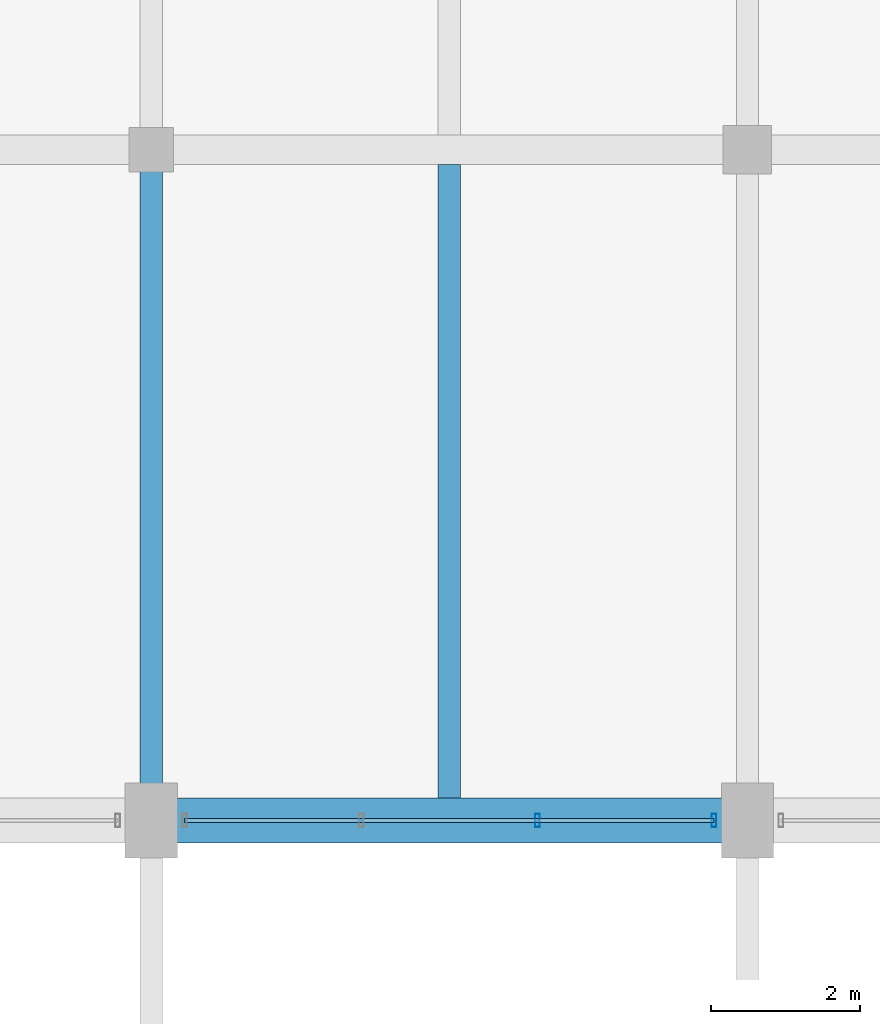
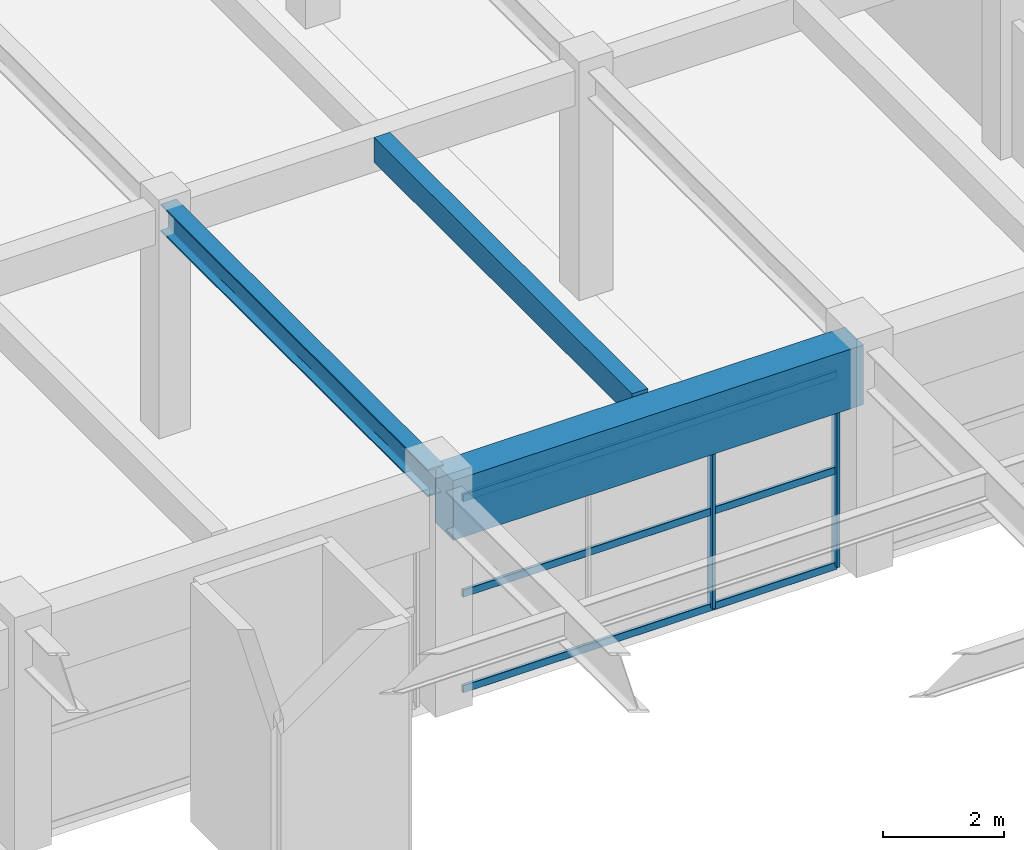
# One storey, part 58 of 144: 5 members, 3 beams, 1 element without a shape of its own.
"""IFC4 building model written with IfcOpenShell, lengths in metres."""

from ifc_helpers import new_model, si_unit, direction, frame, origin, origin_2d, place, context, subcontext, project, spatial, rectangle, hollow_rectangle, i_section, extrude, material, material_profile, profile_set, type_object, element, aggregate, save


model = new_model("IFC4")

# Units and contexts
model_context = context("Model", 3, precision=1e-05, world=origin(), true_north=direction((0.0, 1.0)))
body_context = subcontext(model_context, "Body", "Model", "MODEL_VIEW")
ifc_project = project(units=[si_unit("LENGTHUNIT", "METRE"), si_unit("AREAUNIT", "SQUARE_METRE"), si_unit("VOLUMEUNIT", "CUBIC_METRE"), si_unit("PLANEANGLEUNIT", "RADIAN"), si_unit("MASSUNIT", "GRAM", prefix="KILO")], contexts=[model_context])

# Site, building, storey
site_placement = place(None, origin())
site = spatial("IfcSite", under=ifc_project, at=site_placement, CompositionType="ELEMENT")
building_placement = place(site_placement, origin())
building = spatial("IfcBuilding", under=site, at=building_placement, Name="Varnabhumi Central Station", CompositionType="ELEMENT")
storey_placement = place(building_placement, frame((0.0, 0.0, 4.800048828125)))
storey = spatial("IfcBuildingStorey", under=building, at=storey_placement, Name="L01", CompositionType="ELEMENT", Elevation=4.800048828125)

# Beams
ifc_material_1 = material(Name="Concrete M50", Category="concrete")
ifc_material_profile_1 = material_profile(ifc_material_1, rectangle(XDim=0.60009765625, YDim=1.199951171875, at=origin_2d()), Name="Concrete M50", Category="concrete")
ifc_profile_set_1 = profile_set([ifc_material_profile_1], Name="Concrete M50")
beam_type_1 = type_object("IfcBeamType", Name="BM-RC-1200x600", PredefinedType="BEAM", material=ifc_profile_set_1)
beam_1_placement = place(storey_placement, frame((88.10009765625, 80.0, 3.8798828125), z_axis=(1.0, 0.0, 0.0), x_axis=(0.0, 1.0, 0.0)))
element("IfcBeam", 1, at=beam_1_placement, inside=storey, type_object=beam_type_1, Name="Beam L01-K:12-13", PredefinedType="BEAM", context=body_context, shape_type="SweptSolid", body=[
    extrude(rectangle(XDim=0.60009765625, YDim=1.199951171875, at=origin_2d()), origin(), (0.0, 0.0, 1.0), 7.7998046875),
])
ifc_material_2 = material(Name="Concrete M40", Category="concrete")
ifc_material_profile_2 = material_profile(ifc_material_2, rectangle(XDim=0.300048828125, YDim=0.5, at=origin_2d()), Name="Concrete M40", Category="concrete")
ifc_profile_set_2 = profile_set([ifc_material_profile_2], Name="Concrete M40")
beam_type_2 = type_object("IfcBeamType", Name="BM-RC-300x500", PredefinedType="JOIST", material=ifc_profile_set_2)
beam_2_placement = place(storey_placement, frame((92.0, 80.300048828125, 4.300048828125), z_axis=(0.0, 1.0, 0.0), x_axis=(-1.0, 0.0, 0.0)))
element("IfcBeam", 2, at=beam_2_placement, inside=storey, type_object=beam_type_2, Name="Secondary Joist L01-12/13:K-L", PredefinedType="JOIST", context=body_context, shape_type="SweptSolid", body=[
    extrude(rectangle(XDim=0.300048828125, YDim=0.5, at=origin_2d()), origin(), (0.0, 0.0, 1.0), 8.5),
])
ifc_material_3 = material(Name="Structural steel E350", Category="steel")
ifc_material_profile_3 = material_profile(ifc_material_3, i_section(OverallWidth=0.300048828125, OverallDepth=0.550048828125, WebThickness=0.014892578125, FlangeThickness=0.029052734375, FilletRadius=0.027099609375, at=origin_2d()), Name="Structural steel E350", Category="steel")
ifc_profile_set_3 = profile_set([ifc_material_profile_3], Name="Structural steel E350")
beam_type_3 = type_object("IfcBeamType", Name="BM-STL-WPB550", PredefinedType="BEAM", material=ifc_profile_set_3)
beam_3_placement = place(storey_placement, frame((88.0, 80.10009765625, 4.27490234375), z_axis=(0.0, 1.0, 0.0), x_axis=(-1.0, 0.0, 0.0)))
element("IfcBeam", 3, at=beam_3_placement, inside=storey, type_object=beam_type_3, Name="Beam L01-12:K-L", PredefinedType="BEAM", context=body_context, shape_type="SweptSolid", body=[
    extrude(i_section(OverallWidth=0.300048828125, OverallDepth=0.550048828125, WebThickness=0.014892578125, FlangeThickness=0.029052734375, FilletRadius=0.027099609375, at=origin_2d()), origin(), (0.0, 0.0, 1.0), 8.7998046875),
])

# Curtain wall, members
ifc_material_4 = material(Name="Anodised aluminium 6063-T6", Category="aluminium")
curtain_wall_type = type_object("IfcCurtainWallType", Name="CW-STREET-PORTAL", PredefinedType="NOTDEFINED", material=ifc_material_4)
curtain_wall_placement = place(storey_placement, origin())
curtain_wall = element("IfcCurtainWall", 4, at=curtain_wall_placement, inside=storey, type_object=curtain_wall_type, Name="Curtain Wall CW-NSP111", PredefinedType="NOTDEFINED")
ifc_material_profile_4 = material_profile(ifc_material_4, hollow_rectangle(XDim=0.06494140625, YDim=0.179931640625, WallThickness=0.00390625, InnerFilletRadius=0.001953125, OuterFilletRadius=0.006103515625, at=origin_2d()), Name="Anodised aluminium 6063-T6", Category="aluminium")
ifc_profile_set_4 = profile_set([ifc_material_profile_4], Name="Anodised aluminium 6063-T6")
member_type_1 = type_object("IfcMemberType", Name="CW-MUL-180", PredefinedType="MULLION", material=ifc_profile_set_4)
member_1_placement = place(storey_placement, frame((93.183349609375, 80.0, 0.0), z_axis=(0.0, 0.0, 1.0), x_axis=(1.0, 0.0, 0.0)))
member_1 = element("IfcMember", 5, at=member_1_placement, type_object=member_type_1, Name="Curtain Wall Mullion CW-NSP111-M3", PredefinedType="MULLION", context=body_context, shape_type="SweptSolid", body=[
    extrude(hollow_rectangle(XDim=0.06494140625, YDim=0.179931640625, WallThickness=0.00390625, InnerFilletRadius=0.001953125, OuterFilletRadius=0.006103515625, at=origin_2d()), origin(), (0.0, 0.0, 1.0), 3.83984375),
])
member_2_placement = place(storey_placement, frame((95.550048828125, 80.0, 0.0), z_axis=(0.0, 0.0, 1.0), x_axis=(1.0, 0.0, 0.0)))
member_2 = element("IfcMember", 6, at=member_2_placement, type_object=member_type_1, Name="Curtain Wall Mullion CW-NSP111-M4", PredefinedType="MULLION", context=body_context, shape_type="SweptSolid", body=[
    extrude(hollow_rectangle(XDim=0.06494140625, YDim=0.179931640625, WallThickness=0.00390625, InnerFilletRadius=0.001953125, OuterFilletRadius=0.006103515625, at=origin_2d()), origin(), (0.0, 0.0, 1.0), 3.83984375),
])
ifc_material_profile_5 = material_profile(ifc_material_4, hollow_rectangle(XDim=0.06005859375, YDim=0.14990234375, WallThickness=0.00390625, InnerFilletRadius=0.001953125, OuterFilletRadius=0.006103515625, at=origin_2d()), Name="Anodised aluminium 6063-T6", Category="aluminium")
ifc_profile_set_5 = profile_set([ifc_material_profile_5], Name="Anodised aluminium 6063-T6")
member_type_2 = type_object("IfcMemberType", Name="CW-TR-150", PredefinedType="USERDEFINED", material=ifc_profile_set_5)
member_3_placement = place(storey_placement, frame((88.449951171875, 80.0, 0.0), z_axis=(1.0, 0.0, 0.0), x_axis=(0.0, 1.0, 0.0)))
member_3 = element("IfcMember", 7, at=member_3_placement, type_object=member_type_2, Name="Curtain Wall Transom CW-NSP111-T1", ObjectType="TRANSOM", PredefinedType="USERDEFINED", context=body_context, shape_type="SweptSolid", body=[
    extrude(hollow_rectangle(XDim=0.06005859375, YDim=0.14990234375, WallThickness=0.00390625, InnerFilletRadius=0.001953125, OuterFilletRadius=0.006103515625, at=origin_2d()), origin(), (0.0, 0.0, 1.0), 7.10009765625),
])
member_4_placement = place(storey_placement, frame((88.449951171875, 80.0, 1.919921875), z_axis=(1.0, 0.0, 0.0), x_axis=(0.0, 1.0, 0.0)))
member_4 = element("IfcMember", 8, at=member_4_placement, type_object=member_type_2, Name="Curtain Wall Transom CW-NSP111-T2", ObjectType="TRANSOM", PredefinedType="USERDEFINED", context=body_context, shape_type="SweptSolid", body=[
    extrude(hollow_rectangle(XDim=0.06005859375, YDim=0.14990234375, WallThickness=0.00390625, InnerFilletRadius=0.001953125, OuterFilletRadius=0.006103515625, at=origin_2d()), origin(), (0.0, 0.0, 1.0), 7.10009765625),
])
member_5_placement = place(storey_placement, frame((88.449951171875, 80.0, 3.83984375), z_axis=(1.0, 0.0, 0.0), x_axis=(0.0, 1.0, 0.0)))
member_5 = element("IfcMember", 9, at=member_5_placement, type_object=member_type_2, Name="Curtain Wall Transom CW-NSP111-T3", ObjectType="TRANSOM", PredefinedType="USERDEFINED", context=body_context, shape_type="SweptSolid", body=[
    extrude(hollow_rectangle(XDim=0.06005859375, YDim=0.14990234375, WallThickness=0.00390625, InnerFilletRadius=0.001953125, OuterFilletRadius=0.006103515625, at=origin_2d()), origin(), (0.0, 0.0, 1.0), 7.10009765625),
])
aggregate(curtain_wall, [member_1, member_2, member_3, member_4, member_5])

save(model, "model.ifc")
